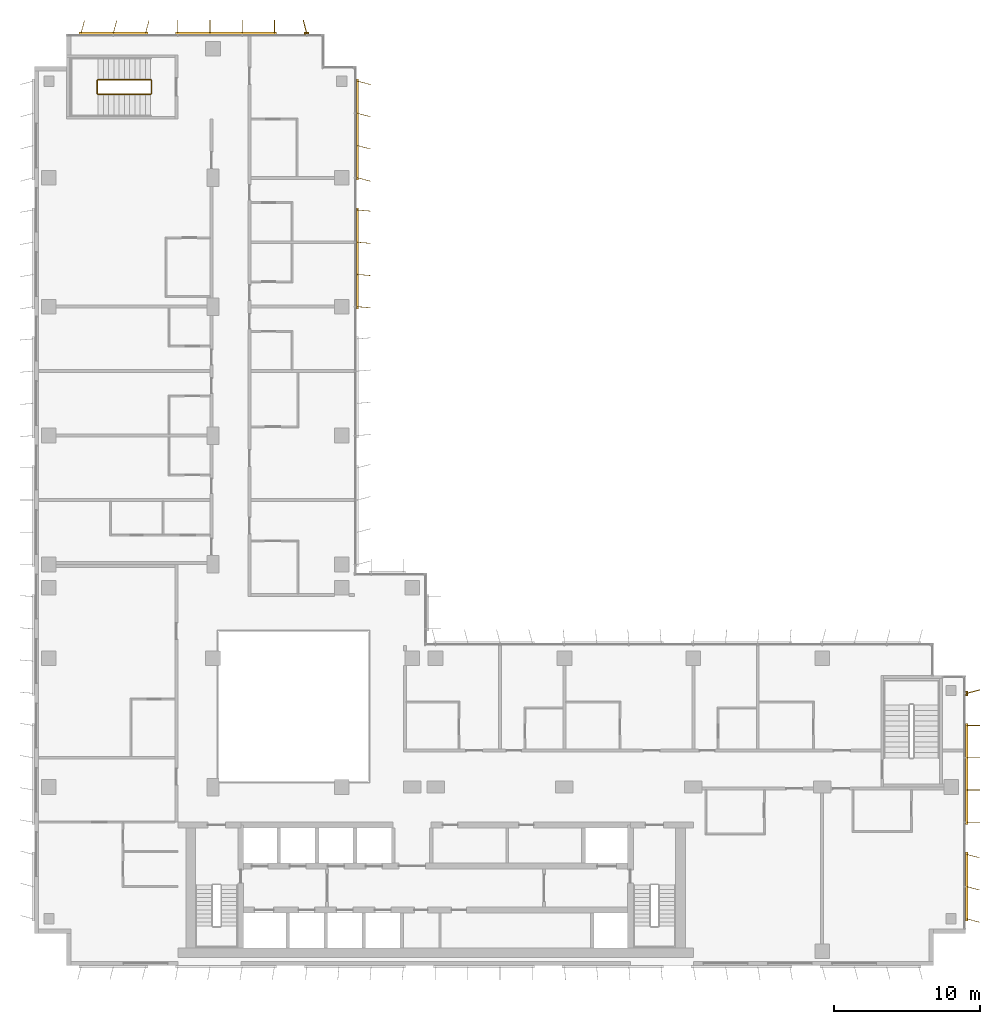
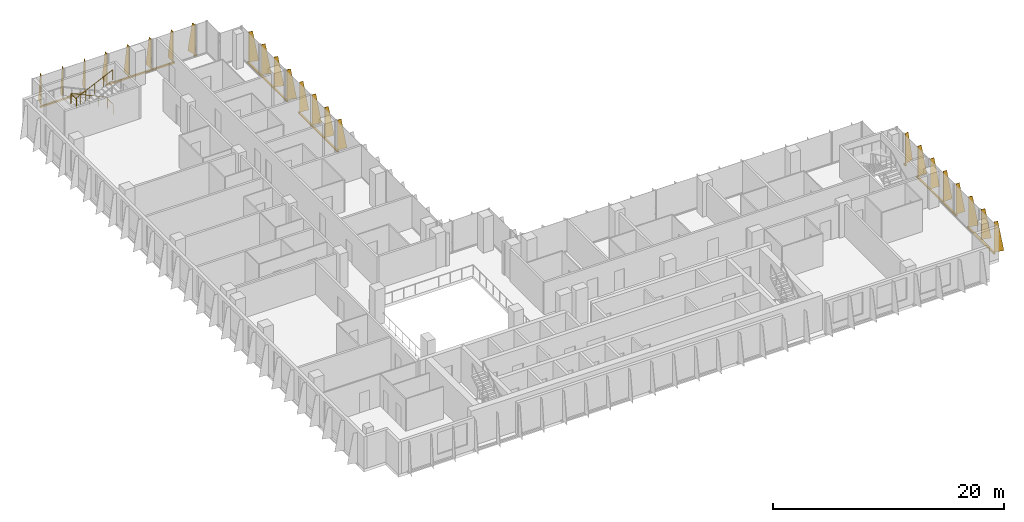
# One storey, part 21 of 21: 8 shading devices, 1 railing.
"""IFC4 building model written with IfcOpenShell, lengths in metres."""

from ifc_helpers import new_model, si_unit, direction, frame, origin, origin_2d, place, context, subcontext, project, spatial, polyline, rectangle, circle, outline, extrude, source, transform, mapped, material, layer, layer_set, type_object, element, save


model = new_model("IFC4")

# Units and contexts
model_context = context("Model", 3, precision=1e-05, world=origin(), true_north=direction((0.0, 1.0)))
body_context = subcontext(model_context, "Body", "Model", "MODEL_VIEW")
ifc_project = project(units=[si_unit("LENGTHUNIT", "METRE"), si_unit("AREAUNIT", "SQUARE_METRE"), si_unit("VOLUMEUNIT", "CUBIC_METRE"), si_unit("PLANEANGLEUNIT", "RADIAN"), si_unit("MASSUNIT", "GRAM", prefix="KILO")], contexts=[model_context])

# Site, building, storey
site_placement = place(None, origin())
site = spatial("IfcSite", under=ifc_project, at=site_placement, CompositionType="ELEMENT")
building_placement = place(site_placement, origin())
building = spatial("IfcBuilding", under=site, at=building_placement, Name="Kemantara Hotel Tower", CompositionType="ELEMENT")
storey_placement = place(building_placement, frame((0.0, 0.0, 164.199951171875)))
storey = spatial("IfcBuildingStorey", under=building, at=storey_placement, Name="L40", CompositionType="ELEMENT", Elevation=164.199951171875)

# Railing
ifc_material_1 = material(Name="Stainless steel balustrade", Category="steel")
railing_type = type_object("IfcRailingType", Name="Stair guard 1100 mm", PredefinedType="GUARDRAIL", material=ifc_material_1)
railing_placement = place(storey_placement, frame((7.949951171875, 59.5, 3.699951171875)))
element("IfcRailing", 1, at=railing_placement, inside=storey, type_object=railing_type, Name="L40 ST4 stair guard 1", PredefinedType="GUARDRAIL", context=body_context, shape_type="SweptSolid", body=[
    extrude(circle(Radius=0.02392578125, at=origin_2d()), frame((0.0, 0.0, 1.076171875), z_axis=(-0.906018243939, 0.0, -0.423238634402), x_axis=(0.0, -1.0, 0.0)), (0.0, 0.0, 1.0), 3.973388671875),
    extrude(circle(Radius=0.02392578125, at=origin_2d()), frame((-3.599853515625, 0.0, -0.60546875), z_axis=(-0.274243871929, 0.274243871929, -0.92172696468), x_axis=(-0.707106781187, -0.707106781187, 0.0)), (0.0, 0.0, 1.0), 0.1826171875),
    extrude(circle(Radius=0.02392578125, at=origin_2d()), frame((-3.64990234375, 0.050048828125, -0.77392578125), z_axis=(0.0, 1.0, 0.0), x_axis=(-1.0, 0.0, 0.0)), (0.0, 0.0, 1.0), 0.89990234375),
    extrude(circle(Radius=0.02392578125, at=origin_2d()), frame((-3.64990234375, 0.949951171875, -0.77392578125), z_axis=(0.707106781187, 0.707106781187, 0.0), x_axis=(-0.707106781187, 0.707106781187, 0.0)), (0.0, 0.0, 1.0), 0.07080078125),
    extrude(circle(Radius=0.02392578125, at=origin_2d()), frame((-3.599853515625, 1.0, -0.77392578125), z_axis=(0.905994681025, 0.0, -0.423289071386), x_axis=(0.0, 1.0, 0.0)), (0.0, 0.0, 1.0), 3.973388671875),
    extrude(circle(Radius=0.02392578125, at=origin_2d()), frame((0.0, 1.0, -2.45556640625), z_axis=(0.274243871929, -0.274243871929, -0.92172696468), x_axis=(0.707106781187, 0.707106781187, 0.0)), (0.0, 0.0, 1.0), 0.1826171875),
    extrude(circle(Radius=0.02392578125, at=origin_2d()), frame((0.050048828125, 0.949951171875, -2.6240234375), z_axis=(0.0, -1.0, 0.0), x_axis=(1.0, 0.0, 0.0)), (0.0, 0.0, 1.0), 0.89990234375),
    extrude(circle(Radius=0.02099609375, at=origin_2d()), origin(), (0.0, 0.0, 1.0), 1.052001953125),
    extrude(circle(Radius=0.02099609375, at=origin_2d()), frame((-0.89990234375, 0.0, -0.42041015625)), (0.0, 0.0, 1.0), 1.052001953125),
    extrude(circle(Radius=0.02099609375, at=origin_2d()), frame((-1.7998046875, 0.0, -0.8408203125)), (0.0, 0.0, 1.0), 1.052001953125),
    extrude(circle(Radius=0.02099609375, at=origin_2d()), frame((-2.699951171875, 0.0, -1.26123046875)), (0.0, 0.0, 1.0), 1.052001953125),
    extrude(circle(Radius=0.02099609375, at=origin_2d()), frame((-3.599853515625, 0.0, -1.681640625)), (0.0, 0.0, 1.0), 1.052001953125),
    extrude(circle(Radius=0.02099609375, at=origin_2d()), frame((-3.64990234375, 0.050048828125, -1.849853515625)), (0.0, 0.0, 1.0), 1.052001953125),
    extrude(circle(Radius=0.02099609375, at=origin_2d()), frame((-3.64990234375, 0.949951171875, -1.849853515625)), (0.0, 0.0, 1.0), 1.052001953125),
    extrude(circle(Radius=0.02099609375, at=origin_2d()), frame((-3.599853515625, 1.0, -1.849853515625)), (0.0, 0.0, 1.0), 1.052001953125),
    extrude(circle(Radius=0.02099609375, at=origin_2d()), frame((-2.699951171875, 1.0, -2.270263671875)), (0.0, 0.0, 1.0), 1.052001953125),
    extrude(circle(Radius=0.02099609375, at=origin_2d()), frame((-1.7998046875, 1.0, -2.69091796875)), (0.0, 0.0, 1.0), 1.052001953125),
    extrude(circle(Radius=0.02099609375, at=origin_2d()), frame((-0.89990234375, 1.0, -3.111328125)), (0.0, 0.0, 1.0), 1.052001953125),
    extrude(circle(Radius=0.02099609375, at=origin_2d()), frame((0.0, 1.0, -3.53173828125)), (0.0, 0.0, 1.0), 1.052001953125),
    extrude(circle(Radius=0.02099609375, at=origin_2d()), frame((0.050048828125, 0.949951171875, -3.699951171875)), (0.0, 0.0, 1.0), 1.052001953125),
    extrude(circle(Radius=0.02099609375, at=origin_2d()), frame((0.050048828125, 0.050048828125, -3.699951171875)), (0.0, 0.0, 1.0), 1.052001953125),
])

# Shading devices
ifc_material_2 = material(Name="Perforated aluminium plate 4 mm bronze anodised", Category="aluminium")
ifc_layer_1 = layer(ifc_material_2, 0.0400390625)
ifc_layer_set_1 = layer_set([ifc_layer_1], Name="Perforated aluminium plate 4 mm bronze anodised")
shading_device_type_1 = type_object("IfcShadingDeviceType", Name="SCREEN FIN CASSETTE, 3 BLADES AT -15.0 DEG, 3200 HIGH", PredefinedType="USERDEFINED", material=ifc_layer_set_1)
shared_shape_1 = source(origin(), body_context, "Body", "SweptSolid", [
    extrude(rectangle(XDim=4.699951171875, YDim=0.14990234375, at=origin_2d()), frame((2.199951171875, -0.074951171875, -0.14990234375), z_axis=(0.0, 0.0, 1.0), x_axis=(1.0, 0.0, 0.0)), (0.0, 0.0, 1.0), 0.14990234375),
    extrude(outline(polyline([(0.0, 0.0), (0.89990234375, 0.0), (0.35009765625, 3.199951171875), (0.0, 3.199951171875), (0.0, 0.0)])), frame((0.019287109375, -0.080078125, 0.0), z_axis=(-0.966437683387, 0.256901156343, 0.0), x_axis=(-0.256901156343, -0.966437683387, 0.0)), (0.0, 0.0, 1.0), 0.039794921875),
    extrude(outline(polyline([(0.0, 0.0), (0.89990234375, 0.0), (0.35009765625, 3.199951171875), (0.0, 3.199951171875), (0.0, 0.0)])), frame((2.21923828125, -0.080078125, 0.0), z_axis=(-0.966437683387, 0.256901156343, 0.0), x_axis=(-0.256901156343, -0.966437683387, 0.0)), (0.0, 0.0, 1.0), 0.039794921875),
    extrude(outline(polyline([(0.0, 0.0), (0.89990234375, 0.0), (0.35009765625, 3.199951171875), (0.0, 3.199951171875), (0.0, 0.0)])), frame((4.41943359375, -0.080078125, 0.0), z_axis=(-0.966837822169, 0.255391122837, 0.0), x_axis=(-0.255391122837, -0.966837822169, 0.0)), (0.0, 0.0, 1.0), 0.0400390625),
])
for number, where, z_axis, x_axis, name in (
    (2, (7.60009765625, 63.60009765625, 0.10009765625), (0.0, 0.0, 1.0), (-1.0, 0.0, 0.0), "SCREEN FIN CASSETTE L40 T3-R02-3"),
    (3, (63.60009765625, 3.199951171875, 0.10009765625), (0.0, 0.0, 1.0), (0.0, 1.0, 0.0), "SCREEN FIN CASSETTE L40 T3-R11-1"),
):
    element("IfcShadingDevice", number, at=place(storey_placement, frame(where, z_axis=z_axis, x_axis=x_axis)), inside=storey, type_object=shading_device_type_1, Name=name, ObjectType="SCREEN FIN", PredefinedType="USERDEFINED", context=body_context, shape_type="MappedRepresentation", body=[
        mapped(shared_shape_1, transform((0.0, 0.0, 0.0))),
    ])
ifc_layer_2 = layer(ifc_material_2, 0.0400390625)
ifc_layer_set_2 = layer_set([ifc_layer_2], Name="Perforated aluminium plate 4 mm bronze anodised")
shading_device_type_2 = type_object("IfcShadingDeviceType", Name="SCREEN FIN CASSETTE, 4 BLADES AT -5.0 DEG, 3200 HIGH", PredefinedType="USERDEFINED", material=ifc_layer_set_2)
shared_shape_2 = source(origin(), body_context, "Body", "SweptSolid", [
    extrude(rectangle(XDim=6.89990234375, YDim=0.14990234375, at=origin_2d()), frame((3.300048828125, -0.074951171875, -0.14990234375), z_axis=(0.0, 0.0, 1.0), x_axis=(1.0, 0.0, 0.0)), (0.0, 0.0, 1.0), 0.14990234375),
    extrude(outline(polyline([(0.0, 0.0), (0.89990234375, 0.0), (0.35009765625, 3.199951171875), (0.0, 3.199951171875), (0.0, 0.0)])), frame((0.02001953125, -0.07666015625, 0.0), z_axis=(-0.996376129781, 0.085056498884, 0.0), x_axis=(-0.085056498884, -0.996376129781, 0.0)), (0.0, 0.0, 1.0), 0.040283203125),
    extrude(outline(polyline([(0.0, 0.0), (0.89990234375, 0.0), (0.35009765625, 3.199951171875), (0.0, 3.199951171875), (0.0, 0.0)])), frame((2.219970703125, -0.07666015625, 0.0), z_axis=(-0.996331773833, 0.085574508182, 0.0), x_axis=(-0.085574508182, -0.996331773833, 0.0)), (0.0, 0.0, 1.0), 0.0400390625),
    extrude(outline(polyline([(0.0, 0.0), (0.89990234375, 0.0), (0.35009765625, 3.199951171875), (0.0, 3.199951171875), (0.0, 0.0)])), frame((4.419921875, -0.07666015625, 0.0), z_axis=(-0.996331773833, 0.085574508182, 0.0), x_axis=(-0.085574508182, -0.996331773833, 0.0)), (0.0, 0.0, 1.0), 0.0400390625),
    extrude(outline(polyline([(0.0, 0.0), (0.89990234375, 0.0), (0.35009765625, 3.199951171875), (0.0, 3.199951171875), (0.0, 0.0)])), frame((6.619873046875, -0.07666015625, 0.0), z_axis=(-0.996331773833, 0.085574508182, 0.0), x_axis=(-0.085574508182, -0.996331773833, 0.0)), (0.0, 0.0, 1.0), 0.0400390625),
])
shading_device_1_placement = place(storey_placement, frame((22.0, 45.0, 0.10009765625), z_axis=(0.0, 0.0, 1.0), x_axis=(0.0, 1.0, 0.0)))
element("IfcShadingDevice", 4, at=shading_device_1_placement, inside=storey, type_object=shading_device_type_2, Name="SCREEN FIN CASSETTE L40 T3-R17-3", ObjectType="SCREEN FIN", PredefinedType="USERDEFINED", context=body_context, shape_type="MappedRepresentation", body=[
    mapped(shared_shape_2, transform((0.0, 0.0, 0.0))),
])
ifc_layer_3 = layer(ifc_material_2, 0.0400390625)
ifc_layer_set_3 = layer_set([ifc_layer_3], Name="Perforated aluminium plate 4 mm bronze anodised")
shading_device_type_3 = type_object("IfcShadingDeviceType", Name="SCREEN FIN CASSETTE, 4 BLADES AT +0.0 DEG, 3200 HIGH", PredefinedType="USERDEFINED", material=ifc_layer_set_3)
shared_shape_3 = source(origin(), body_context, "Body", "SweptSolid", [
    extrude(rectangle(XDim=6.89990234375, YDim=0.14990234375, at=origin_2d()), frame((3.300048828125, -0.074951171875, -0.14990234375), z_axis=(0.0, 0.0, 1.0), x_axis=(1.0, 0.0, 0.0)), (0.0, 0.0, 1.0), 0.14990234375),
    extrude(outline(polyline([(0.0, 0.0), (0.89990234375, 0.0), (0.35009765625, 3.199951171875), (0.0, 3.199951171875), (0.0, 0.0)])), frame((0.02001953125, -0.074951171875, 0.0), z_axis=(-1.0, 0.0, 0.0), x_axis=(0.0, -1.0, 0.0)), (0.0, 0.0, 1.0), 0.0400390625),
    extrude(outline(polyline([(0.0, 0.0), (0.89990234375, 0.0), (0.35009765625, 3.199951171875), (0.0, 3.199951171875), (0.0, 0.0)])), frame((2.219970703125, -0.074951171875, 0.0), z_axis=(-1.0, 0.0, 0.0), x_axis=(0.0, -1.0, 0.0)), (0.0, 0.0, 1.0), 0.0400390625),
    extrude(outline(polyline([(0.0, 0.0), (0.89990234375, 0.0), (0.35009765625, 3.199951171875), (0.0, 3.199951171875), (0.0, 0.0)])), frame((4.419921875, -0.074951171875, 0.0), z_axis=(-1.0, 0.0, 0.0), x_axis=(0.0, -1.0, 0.0)), (0.0, 0.0, 1.0), 0.0400390625),
    extrude(outline(polyline([(0.0, 0.0), (0.89990234375, 0.0), (0.35009765625, 3.199951171875), (0.0, 3.199951171875), (0.0, 0.0)])), frame((6.6201171875, -0.074951171875, 0.0), z_axis=(-1.0, 0.0, 0.0), x_axis=(0.0, -1.0, 0.0)), (0.0, 0.0, 1.0), 0.0400390625),
])
for number, where, z_axis, x_axis, name in (
    (5, (16.39990234375, 63.60009765625, 0.10009765625), (0.0, 0.0, 1.0), (-1.0, 0.0, 0.0), "SCREEN FIN CASSETTE L40 T3-R02-2"),
    (6, (63.60009765625, 9.800048828125, 0.10009765625), (0.0, 0.0, 1.0), (0.0, 1.0, 0.0), "SCREEN FIN CASSETTE L40 T3-R11-2"),
):
    element("IfcShadingDevice", number, at=place(storey_placement, frame(where, z_axis=z_axis, x_axis=x_axis)), inside=storey, type_object=shading_device_type_3, Name=name, ObjectType="SCREEN FIN", PredefinedType="USERDEFINED", context=body_context, shape_type="MappedRepresentation", body=[
        mapped(shared_shape_3, transform((0.0, 0.0, 0.0))),
    ])
ifc_layer_4 = layer(ifc_material_2, 0.0400390625)
ifc_layer_set_4 = layer_set([ifc_layer_4], Name="Perforated aluminium plate 4 mm bronze anodised")
shading_device_type_4 = type_object("IfcShadingDeviceType", Name="SCREEN FIN CASSETTE, 4 BLADES AT -15.0 DEG, 3200 HIGH", PredefinedType="USERDEFINED", material=ifc_layer_set_4)
shared_shape_4 = source(origin(), body_context, "Body", "SweptSolid", [
    extrude(rectangle(XDim=6.89990234375, YDim=0.14990234375, at=origin_2d()), frame((3.300048828125, -0.074951171875, -0.14990234375), z_axis=(0.0, 0.0, 1.0), x_axis=(1.0, 0.0, 0.0)), (0.0, 0.0, 1.0), 0.14990234375),
    extrude(outline(polyline([(0.0, 0.0), (0.89990234375, 0.0), (0.35009765625, 3.199951171875), (0.0, 3.199951171875), (0.0, 0.0)])), frame((0.019287109375, -0.080078125, 0.0), z_axis=(-0.966437683387, 0.256901156343, 0.0), x_axis=(-0.256901156343, -0.966437683387, 0.0)), (0.0, 0.0, 1.0), 0.039794921875),
    extrude(outline(polyline([(0.0, 0.0), (0.89990234375, 0.0), (0.35009765625, 3.199951171875), (0.0, 3.199951171875), (0.0, 0.0)])), frame((2.21923828125, -0.080078125, 0.0), z_axis=(-0.966437683387, 0.256901156343, 0.0), x_axis=(-0.256901156343, -0.966437683387, 0.0)), (0.0, 0.0, 1.0), 0.039794921875),
    extrude(outline(polyline([(0.0, 0.0), (0.89990234375, 0.0), (0.35009765625, 3.199951171875), (0.0, 3.199951171875), (0.0, 0.0)])), frame((4.41943359375, -0.080078125, 0.0), z_axis=(-0.966837822169, 0.255391122837, 0.0), x_axis=(-0.255391122837, -0.966837822169, 0.0)), (0.0, 0.0, 1.0), 0.0400390625),
    extrude(outline(polyline([(0.0, 0.0), (0.89990234375, 0.0), (0.35009765625, 3.199951171875), (0.0, 3.199951171875), (0.0, 0.0)])), frame((6.619384765625, -0.080078125, 0.0), z_axis=(-0.966837822169, 0.255391122837, 0.0), x_axis=(-0.255391122837, -0.966837822169, 0.0)), (0.0, 0.0, 1.0), 0.0400390625),
])
shading_device_2_placement = place(storey_placement, frame((22.0, 53.800048828125, 0.10009765625), z_axis=(0.0, 0.0, 1.0), x_axis=(0.0, 1.0, 0.0)))
element("IfcShadingDevice", 7, at=shading_device_2_placement, inside=storey, type_object=shading_device_type_4, Name="SCREEN FIN CASSETTE L40 T3-R17-4", ObjectType="SCREEN FIN", PredefinedType="USERDEFINED", context=body_context, shape_type="MappedRepresentation", body=[
    mapped(shared_shape_4, transform((0.0, 0.0, 0.0))),
])
ifc_layer_5 = layer(ifc_material_2, 0.0400390625)
ifc_layer_set_5 = layer_set([ifc_layer_5], Name="Perforated aluminium plate 4 mm bronze anodised")
shading_device_type_5 = type_object("IfcShadingDeviceType", Name="SCREEN FIN CASSETTE, 1 BLADE AT +15.0 DEG, 3200 HIGH", PredefinedType="USERDEFINED", material=ifc_layer_set_5)
shared_shape_5 = source(origin(), body_context, "Body", "SweptSolid", [
    extrude(rectangle(XDim=0.300048828125, YDim=0.14990234375, at=origin_2d()), frame((0.0, -0.074951171875, -0.14990234375), z_axis=(0.0, 0.0, 1.0), x_axis=(1.0, 0.0, 0.0)), (0.0, 0.0, 1.0), 0.14990234375),
    extrude(outline(polyline([(0.0, 0.0), (0.89990234375, 0.0), (0.35009765625, 3.199951171875), (0.0, 3.199951171875), (0.0, 0.0)])), frame((0.019287109375, -0.06982421875, 0.0), z_axis=(-0.966437683387, -0.256901156343, 0.0), x_axis=(0.256901156343, -0.966437683387, 0.0)), (0.0, 0.0, 1.0), 0.039794921875),
])
for number, where, z_axis, x_axis, name in (
    (8, (18.60009765625, 63.60009765625, 0.10009765625), (0.0, 0.0, 1.0), (-1.0, 0.0, 0.0), "SCREEN FIN CASSETTE L40 T3-R02-1"),
    (9, (63.60009765625, 18.60009765625, 0.10009765625), (0.0, 0.0, 1.0), (0.0, 1.0, 0.0), "SCREEN FIN CASSETTE L40 T3-R11-3"),
):
    element("IfcShadingDevice", number, at=place(storey_placement, frame(where, z_axis=z_axis, x_axis=x_axis)), inside=storey, type_object=shading_device_type_5, Name=name, ObjectType="SCREEN FIN", PredefinedType="USERDEFINED", context=body_context, shape_type="MappedRepresentation", body=[
        mapped(shared_shape_5, transform((0.0, 0.0, 0.0))),
    ])

save(model, "model.ifc")
